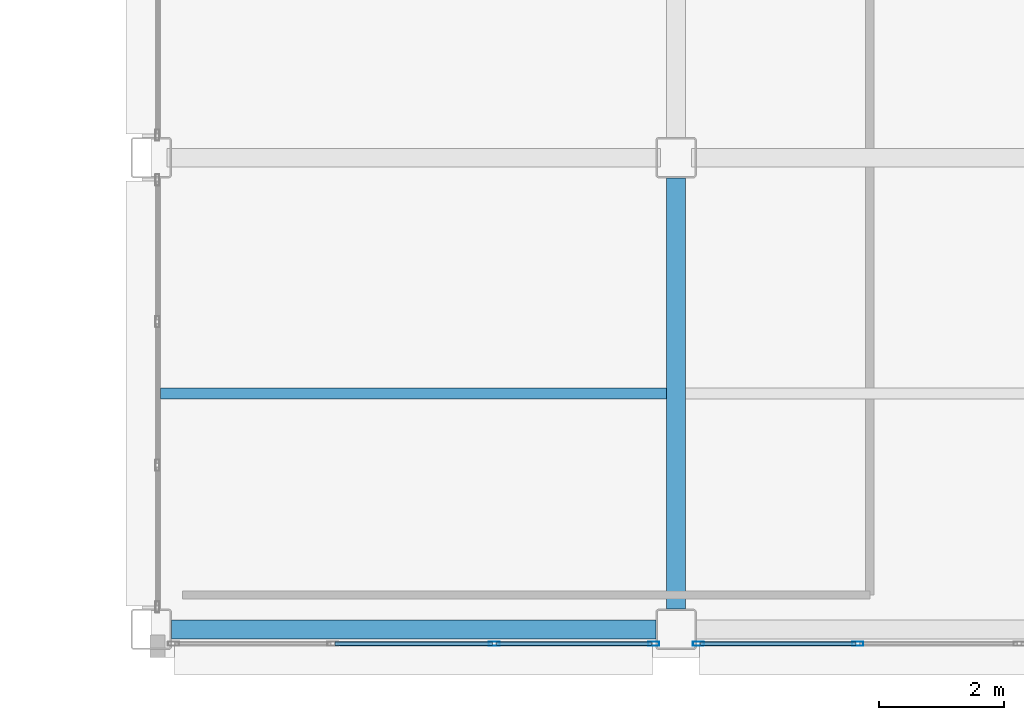
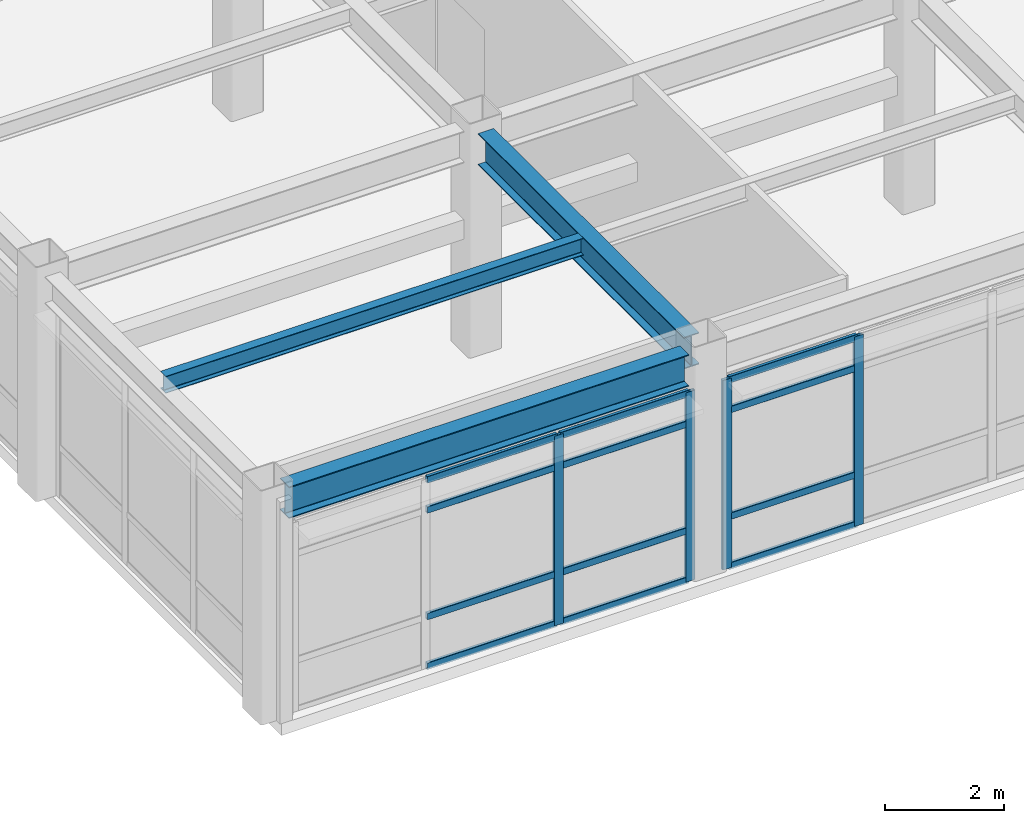
# One storey, part 47 of 93: 16 members, 3 beams, 2 elements without a shape of their own.
"""IFC4 building model written with IfcOpenShell, lengths in metres."""

from ifc_helpers import new_model, si_unit, direction, frame, origin, origin_2d, place, context, subcontext, project, spatial, hollow_rectangle, i_section, extrude, material, layer, layer_set, material_profile, profile_set, type_object, element, aggregate, save


model = new_model("IFC4")

# Units and contexts
model_context = context("Model", 3, precision=1e-05, world=origin(), true_north=direction((0.0, 1.0)))
body_context = subcontext(model_context, "Body", "Model", "MODEL_VIEW")
ifc_project = project(units=[si_unit("LENGTHUNIT", "METRE"), si_unit("AREAUNIT", "SQUARE_METRE"), si_unit("VOLUMEUNIT", "CUBIC_METRE"), si_unit("PLANEANGLEUNIT", "RADIAN"), si_unit("MASSUNIT", "GRAM", prefix="KILO")], contexts=[model_context])

# Site, building, storey
site_placement = place(None, origin())
site = spatial("IfcSite", under=ifc_project, at=site_placement, CompositionType="ELEMENT")
building_placement = place(site_placement, origin())
building = spatial("IfcBuilding", under=site, at=building_placement, Name="Kazehara Bluff Congress Hotel", CompositionType="ELEMENT")
storey_placement = place(building_placement, frame((0.0, 0.0, 15.0)))
storey = spatial("IfcBuildingStorey", under=building, at=storey_placement, Name="L03", CompositionType="ELEMENT", Elevation=15.0)

# Curtain wall, members
ifc_material_1 = material(Name="Anodised aluminium", Category="aluminium")
ifc_layer = layer(ifc_material_1, 0.159912109375)
ifc_layer_set = layer_set([ifc_layer], Name="Anodised aluminium")
curtain_wall_type = type_object("IfcCurtainWallType", Name="TP-CW-24", PredefinedType="NOTDEFINED", material=ifc_layer_set)
curtain_wall_1_placement = place(storey_placement, origin())
curtain_wall_1 = element("IfcCurtainWall", 1, at=curtain_wall_1_placement, inside=storey, type_object=curtain_wall_type, Name="L03 curtain wall CW-24 CW-ENC-V5-L03-14790-22", PredefinedType="NOTDEFINED")
ifc_material_2 = material(Name="Anodised aluminium", Category="aluminium")
ifc_material_profile_1 = material_profile(ifc_material_2, hollow_rectangle(XDim=0.06494140625, YDim=0.179931640625, WallThickness=0.00390625, InnerFilletRadius=0.00390625, OuterFilletRadius=0.008056640625, at=origin_2d()))
ifc_profile_set_1 = profile_set([ifc_material_profile_1], Name="Anodised aluminium")
member_type_1 = type_object("IfcMemberType", Name="TP-CWM-02", PredefinedType="MULLION", material=ifc_profile_set_1)
member_1_placement = place(storey_placement, frame((151.742431640625, 0.219970703125, 0.0), z_axis=(0.0, 0.0, 1.0), x_axis=(0.0, -1.0, 0.0)))
member_1 = element("IfcMember", 2, at=member_1_placement, type_object=member_type_1, Name="CW-24 mullion 1", PredefinedType="MULLION", context=body_context, shape_type="SweptSolid", body=[
    extrude(hollow_rectangle(XDim=0.06494140625, YDim=0.179931640625, WallThickness=0.00390625, InnerFilletRadius=0.00390625, OuterFilletRadius=0.008056640625, at=origin_2d()), origin(), (0.0, 0.0, 1.0), 3.885009765625),
])
member_2_placement = place(storey_placement, frame((149.191650390625, 0.219970703125, 0.0), z_axis=(0.0, 0.0, 1.0), x_axis=(0.0, -1.0, 0.0)))
member_2 = element("IfcMember", 3, at=member_2_placement, type_object=member_type_1, Name="CW-24 mullion 2", PredefinedType="MULLION", context=body_context, shape_type="SweptSolid", body=[
    extrude(hollow_rectangle(XDim=0.06494140625, YDim=0.179931640625, WallThickness=0.00390625, InnerFilletRadius=0.00390625, OuterFilletRadius=0.008056640625, at=origin_2d()), origin(), (0.0, 0.0, 1.0), 3.885009765625),
])

curtain_wall_2_placement = place(storey_placement, origin())
curtain_wall_2 = element("IfcCurtainWall", 4, at=curtain_wall_2_placement, inside=storey, type_object=curtain_wall_type, Name="L03 curtain wall CW-24 CW-ENC-V5-L03-15630-22", PredefinedType="NOTDEFINED")
member_3_placement = place(storey_placement, frame((155.00830078125, 0.219970703125, 0.0), z_axis=(0.0, 0.0, 1.0), x_axis=(0.0, -1.0, 0.0)))
member_3 = element("IfcMember", 5, at=member_3_placement, type_object=member_type_1, Name="CW-24 mullion 3", PredefinedType="MULLION", context=body_context, shape_type="SweptSolid", body=[
    extrude(hollow_rectangle(XDim=0.06494140625, YDim=0.179931640625, WallThickness=0.00390625, InnerFilletRadius=0.00390625, OuterFilletRadius=0.008056640625, at=origin_2d()), origin(), (0.0, 0.0, 1.0), 3.885009765625),
])
member_4_placement = place(storey_placement, frame((152.45751953125, 0.219970703125, 0.0), z_axis=(0.0, 0.0, 1.0), x_axis=(0.0, -1.0, 0.0)))
member_4 = element("IfcMember", 6, at=member_4_placement, type_object=member_type_1, Name="CW-24 mullion 4", PredefinedType="MULLION", context=body_context, shape_type="SweptSolid", body=[
    extrude(hollow_rectangle(XDim=0.06494140625, YDim=0.179931640625, WallThickness=0.00390625, InnerFilletRadius=0.00390625, OuterFilletRadius=0.008056640625, at=origin_2d()), origin(), (0.0, 0.0, 1.0), 3.885009765625),
])

# Member
ifc_material_3 = material(Name="Anodised aluminium", Category="aluminium")
ifc_material_profile_2 = material_profile(ifc_material_3, hollow_rectangle(XDim=0.06494140625, YDim=0.139892578125, WallThickness=0.00390625, InnerFilletRadius=0.00390625, OuterFilletRadius=0.008056640625, at=origin_2d()))
ifc_profile_set_2 = profile_set([ifc_material_profile_2], Name="Anodised aluminium")
member_type_2 = type_object("IfcMemberType", Name="TP-CWT-02", PredefinedType="USERDEFINED", material=ifc_profile_set_2)
member_5_placement = place(storey_placement, frame((151.7099609375, 0.219970703125, 0.032470703125), z_axis=(-1.0, 0.0, 0.0), x_axis=(0.0, -1.0, 0.0)))
member_5 = element("IfcMember", 7, at=member_5_placement, type_object=member_type_2, Name="CW-24 transom 1.1", ObjectType="TRANSOM", PredefinedType="USERDEFINED", context=body_context, shape_type="SweptSolid", body=[
    extrude(hollow_rectangle(XDim=0.06494140625, YDim=0.139892578125, WallThickness=0.00390625, InnerFilletRadius=0.00390625, OuterFilletRadius=0.008056640625, at=origin_2d()), origin(), (0.0, 0.0, 1.0), 2.48583984375),
])

member_6_placement = place(storey_placement, frame((151.7099609375, 0.219970703125, 1.050048828125), z_axis=(-1.0, 0.0, 0.0), x_axis=(0.0, -1.0, 0.0)))
member_6 = element("IfcMember", 8, at=member_6_placement, type_object=member_type_2, Name="CW-24 transom 1.2", ObjectType="TRANSOM", PredefinedType="USERDEFINED", context=body_context, shape_type="SweptSolid", body=[
    extrude(hollow_rectangle(XDim=0.06494140625, YDim=0.139892578125, WallThickness=0.00390625, InnerFilletRadius=0.00390625, OuterFilletRadius=0.008056640625, at=origin_2d()), origin(), (0.0, 0.0, 1.0), 2.48583984375),
])

member_7_placement = place(storey_placement, frame((151.7099609375, 0.219970703125, 3.235107421875), z_axis=(-1.0, 0.0, 0.0), x_axis=(0.0, -1.0, 0.0)))
member_7 = element("IfcMember", 9, at=member_7_placement, type_object=member_type_2, Name="CW-24 transom 1.3", ObjectType="TRANSOM", PredefinedType="USERDEFINED", context=body_context, shape_type="SweptSolid", body=[
    extrude(hollow_rectangle(XDim=0.06494140625, YDim=0.139892578125, WallThickness=0.00390625, InnerFilletRadius=0.00390625, OuterFilletRadius=0.008056640625, at=origin_2d()), origin(), (0.0, 0.0, 1.0), 2.48583984375),
])

member_8_placement = place(storey_placement, frame((151.7099609375, 0.219970703125, 3.8525390625), z_axis=(-1.0, 0.0, 0.0), x_axis=(0.0, -1.0, 0.0)))
member_8 = element("IfcMember", 10, at=member_8_placement, type_object=member_type_2, Name="CW-24 transom 1.4", ObjectType="TRANSOM", PredefinedType="USERDEFINED", context=body_context, shape_type="SweptSolid", body=[
    extrude(hollow_rectangle(XDim=0.06494140625, YDim=0.139892578125, WallThickness=0.00390625, InnerFilletRadius=0.00390625, OuterFilletRadius=0.008056640625, at=origin_2d()), origin(), (0.0, 0.0, 1.0), 2.48583984375),
])

member_9_placement = place(storey_placement, frame((149.1591796875, 0.219970703125, 0.032470703125), z_axis=(-1.0, 0.0, 0.0), x_axis=(0.0, -1.0, 0.0)))
member_9 = element("IfcMember", 11, at=member_9_placement, type_object=member_type_2, Name="CW-24 transom 2.1", ObjectType="TRANSOM", PredefinedType="USERDEFINED", context=body_context, shape_type="SweptSolid", body=[
    extrude(hollow_rectangle(XDim=0.06494140625, YDim=0.139892578125, WallThickness=0.00390625, InnerFilletRadius=0.00390625, OuterFilletRadius=0.008056640625, at=origin_2d()), origin(), (0.0, 0.0, 1.0), 2.518310546875),
])

member_10_placement = place(storey_placement, frame((149.1591796875, 0.219970703125, 1.050048828125), z_axis=(-1.0, 0.0, 0.0), x_axis=(0.0, -1.0, 0.0)))
member_10 = element("IfcMember", 12, at=member_10_placement, type_object=member_type_2, Name="CW-24 transom 2.2", ObjectType="TRANSOM", PredefinedType="USERDEFINED", context=body_context, shape_type="SweptSolid", body=[
    extrude(hollow_rectangle(XDim=0.06494140625, YDim=0.139892578125, WallThickness=0.00390625, InnerFilletRadius=0.00390625, OuterFilletRadius=0.008056640625, at=origin_2d()), origin(), (0.0, 0.0, 1.0), 2.518310546875),
])

member_11_placement = place(storey_placement, frame((149.1591796875, 0.219970703125, 3.235107421875), z_axis=(-1.0, 0.0, 0.0), x_axis=(0.0, -1.0, 0.0)))
member_11 = element("IfcMember", 13, at=member_11_placement, type_object=member_type_2, Name="CW-24 transom 2.3", ObjectType="TRANSOM", PredefinedType="USERDEFINED", context=body_context, shape_type="SweptSolid", body=[
    extrude(hollow_rectangle(XDim=0.06494140625, YDim=0.139892578125, WallThickness=0.00390625, InnerFilletRadius=0.00390625, OuterFilletRadius=0.008056640625, at=origin_2d()), origin(), (0.0, 0.0, 1.0), 2.518310546875),
])

member_12_placement = place(storey_placement, frame((149.1591796875, 0.219970703125, 3.8525390625), z_axis=(-1.0, 0.0, 0.0), x_axis=(0.0, -1.0, 0.0)))
member_12 = element("IfcMember", 14, at=member_12_placement, type_object=member_type_2, Name="CW-24 transom 2.4", ObjectType="TRANSOM", PredefinedType="USERDEFINED", context=body_context, shape_type="SweptSolid", body=[
    extrude(hollow_rectangle(XDim=0.06494140625, YDim=0.139892578125, WallThickness=0.00390625, InnerFilletRadius=0.00390625, OuterFilletRadius=0.008056640625, at=origin_2d()), origin(), (0.0, 0.0, 1.0), 2.518310546875),
])

aggregate(curtain_wall_1, [member_1, member_2, member_5, member_6, member_7, member_8, member_9, member_10, member_11, member_12])

member_13_placement = place(storey_placement, frame((154.975830078125, 0.219970703125, 0.032470703125), z_axis=(-1.0, 0.0, 0.0), x_axis=(0.0, -1.0, 0.0)))
member_13 = element("IfcMember", 15, at=member_13_placement, type_object=member_type_2, Name="CW-24 transom 3.1", ObjectType="TRANSOM", PredefinedType="USERDEFINED", context=body_context, shape_type="SweptSolid", body=[
    extrude(hollow_rectangle(XDim=0.06494140625, YDim=0.139892578125, WallThickness=0.00390625, InnerFilletRadius=0.00390625, OuterFilletRadius=0.008056640625, at=origin_2d()), origin(), (0.0, 0.0, 1.0), 2.48583984375),
])

member_14_placement = place(storey_placement, frame((154.975830078125, 0.219970703125, 1.050048828125), z_axis=(-1.0, 0.0, 0.0), x_axis=(0.0, -1.0, 0.0)))
member_14 = element("IfcMember", 16, at=member_14_placement, type_object=member_type_2, Name="CW-24 transom 3.2", ObjectType="TRANSOM", PredefinedType="USERDEFINED", context=body_context, shape_type="SweptSolid", body=[
    extrude(hollow_rectangle(XDim=0.06494140625, YDim=0.139892578125, WallThickness=0.00390625, InnerFilletRadius=0.00390625, OuterFilletRadius=0.008056640625, at=origin_2d()), origin(), (0.0, 0.0, 1.0), 2.48583984375),
])

member_15_placement = place(storey_placement, frame((154.975830078125, 0.219970703125, 3.235107421875), z_axis=(-1.0, 0.0, 0.0), x_axis=(0.0, -1.0, 0.0)))
member_15 = element("IfcMember", 17, at=member_15_placement, type_object=member_type_2, Name="CW-24 transom 3.3", ObjectType="TRANSOM", PredefinedType="USERDEFINED", context=body_context, shape_type="SweptSolid", body=[
    extrude(hollow_rectangle(XDim=0.06494140625, YDim=0.139892578125, WallThickness=0.00390625, InnerFilletRadius=0.00390625, OuterFilletRadius=0.008056640625, at=origin_2d()), origin(), (0.0, 0.0, 1.0), 2.48583984375),
])

member_16_placement = place(storey_placement, frame((154.975830078125, 0.219970703125, 3.8525390625), z_axis=(-1.0, 0.0, 0.0), x_axis=(0.0, -1.0, 0.0)))
member_16 = element("IfcMember", 18, at=member_16_placement, type_object=member_type_2, Name="CW-24 transom 3.4", ObjectType="TRANSOM", PredefinedType="USERDEFINED", context=body_context, shape_type="SweptSolid", body=[
    extrude(hollow_rectangle(XDim=0.06494140625, YDim=0.139892578125, WallThickness=0.00390625, InnerFilletRadius=0.00390625, OuterFilletRadius=0.008056640625, at=origin_2d()), origin(), (0.0, 0.0, 1.0), 2.48583984375),
])

aggregate(curtain_wall_2, [member_3, member_4, member_13, member_14, member_15, member_16])

# Beams
ifc_material_4 = material(Name="Steel SN490B", Category="steel")
ifc_material_profile_3 = material_profile(ifc_material_4, i_section(OverallWidth=0.300048828125, OverallDepth=0.64990234375, WebThickness=0.011962890625, FlangeThickness=0.02001953125, FilletRadius=0.012939453125, at=origin_2d()))
ifc_profile_set_3 = profile_set([ifc_material_profile_3], Name="Steel SN490B")
beam_type_1 = type_object("IfcBeamType", Name="TP-G-03", PredefinedType="BEAM", material=ifc_profile_set_3)
beam_1_placement = place(storey_placement, frame((152.10009765625, 0.77490234375, 4.235107421875), z_axis=(0.0, 1.0, 0.0), x_axis=(-1.0, 0.0, 0.0)))
element("IfcBeam", 19, at=beam_1_placement, inside=storey, type_object=beam_type_1, Name="L03 girder G-03 122", PredefinedType="BEAM", context=body_context, shape_type="SweptSolid", body=[
    extrude(i_section(OverallWidth=0.300048828125, OverallDepth=0.64990234375, WebThickness=0.011962890625, FlangeThickness=0.02001953125, FilletRadius=0.012939453125, at=origin_2d()), origin(), (0.0, 0.0, 1.0), 6.900146484375),
])
beam_2_placement = place(storey_placement, frame((144.02490234375, 0.449951171875, 4.235107421875), z_axis=(1.0, 0.0, 0.0), x_axis=(0.0, 1.0, 0.0)))
element("IfcBeam", 20, at=beam_2_placement, inside=storey, type_object=beam_type_1, Name="L03 girder G-03 151", PredefinedType="BEAM", context=body_context, shape_type="SweptSolid", body=[
    extrude(i_section(OverallWidth=0.300048828125, OverallDepth=0.64990234375, WebThickness=0.011962890625, FlangeThickness=0.02001953125, FilletRadius=0.012939453125, at=origin_2d()), origin(), (0.0, 0.0, 1.0), 7.75),
])
ifc_material_5 = material(Name="Steel SN400B", Category="steel")
ifc_material_profile_4 = material_profile(ifc_material_5, i_section(OverallWidth=0.175048828125, OverallDepth=0.35009765625, WebThickness=0.007080078125, FlangeThickness=0.010986328125, FilletRadius=0.012939453125, at=origin_2d()))
ifc_profile_set_4 = profile_set([ifc_material_profile_4], Name="Steel SN400B")
beam_type_2 = type_object("IfcBeamType", Name="TP-J-02", PredefinedType="JOIST", material=ifc_profile_set_4)
beam_3_placement = place(storey_placement, frame((143.85009765625, 4.22509765625, 4.385009765625), z_axis=(1.0, 0.0, 0.0), x_axis=(0.0, 1.0, 0.0)))
element("IfcBeam", 21, at=beam_3_placement, inside=storey, type_object=beam_type_2, Name="L03 secondary joist J-02 30", PredefinedType="JOIST", context=body_context, shape_type="SweptSolid", body=[
    extrude(i_section(OverallWidth=0.175048828125, OverallDepth=0.35009765625, WebThickness=0.007080078125, FlangeThickness=0.010986328125, FilletRadius=0.012939453125, at=origin_2d()), origin(), (0.0, 0.0, 1.0), 8.099853515625),
])

save(model, "model.ifc")
